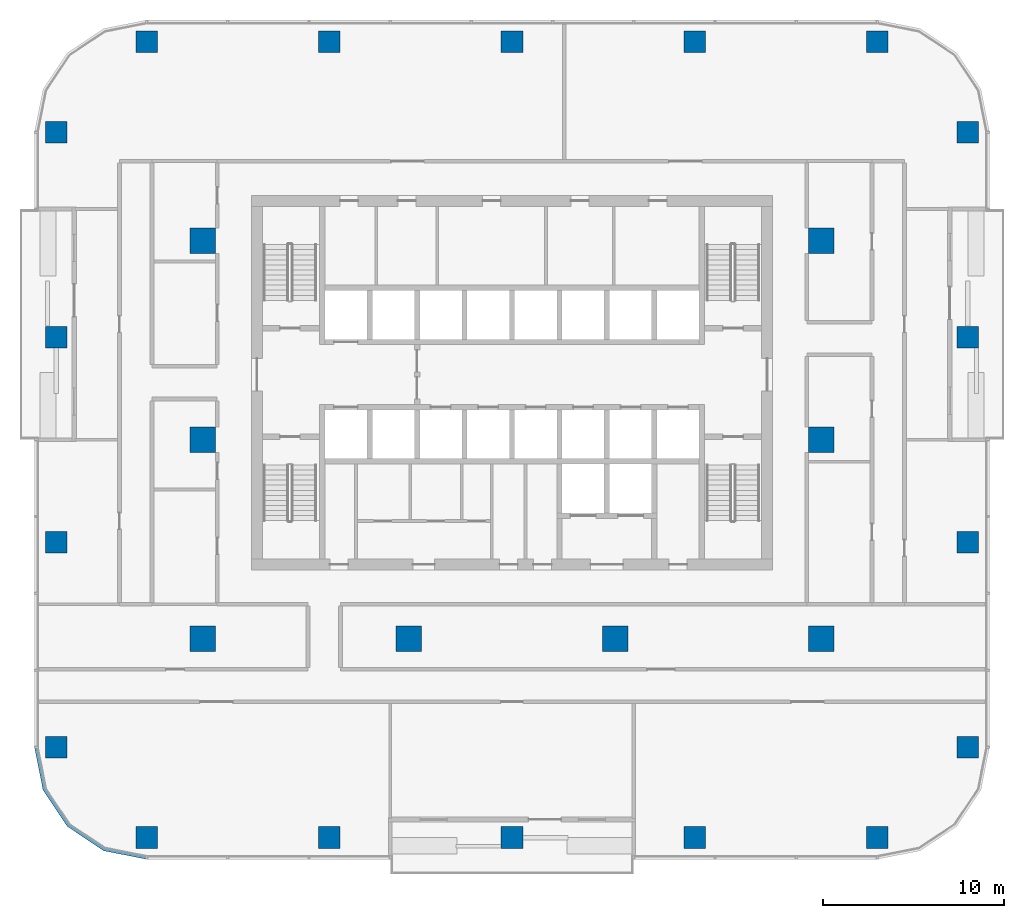
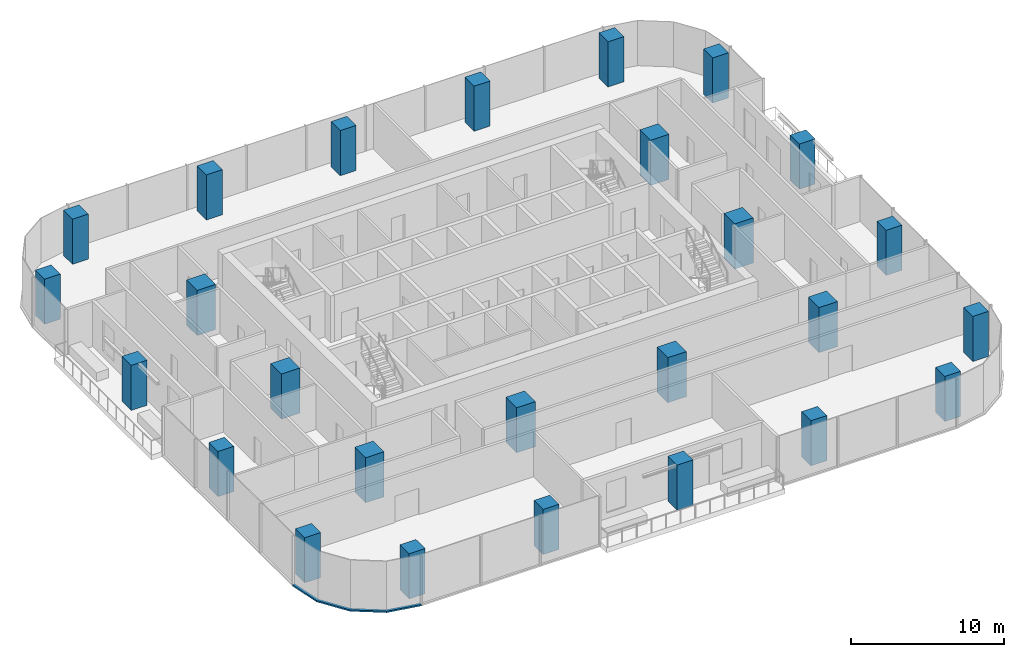
# One storey, part 1 of 14: 26 columns, 1 member, 1 element without a shape of its own.
"""IFC4 building model written with IfcOpenShell, lengths in metres."""

import ifcopenshell
import ifcopenshell.guid

model = None  # the IFC model being written
_history = None  # IfcOwnerHistory: only IFC2X3 demands one
_inside = {}  # id of a spatial element -> (the spatial element, [elements in it])
_under = {}  # id of a project, library or spatial element -> (it, [spatial elements below it])
_declared = {}  # id of a project -> (the project, [libraries it declares])
_typed = {}  # id of a type object -> (the type object, [elements of that type])
_made_of = {}  # id of a material, layer set ... -> (it, [elements and type objects made of it])


def new_model(schema):
    """Start an empty IFC model of exactly this schema.

    Asked for "IFC4X3", IfcOpenShell would pick the latest addendum, in which some entities
    have other attributes; the version numbers below select the first issue.
    IFC2X3 requires an IfcOwnerHistory on every rooted entity: one is made here for all.
    """
    global model, _history
    if schema == "IFC4X3":
        model = ifcopenshell.file(schema_version=(4, 3, 0, 0))
    else:
        model = ifcopenshell.file(schema=schema)
    _inside.clear()
    _under.clear()
    _declared.clear()
    _typed.clear()
    _made_of.clear()
    _history = None
    if model.schema == "IFC2X3":
        org = make("IfcOrganization", Name="unknown")
        user = make(
            "IfcPersonAndOrganization",
            ThePerson=make("IfcPerson", FamilyName="unknown"),
            TheOrganization=org,
        )
        app = make(
            "IfcApplication",
            ApplicationDeveloper=org,
            Version="unknown",
            ApplicationFullName="unknown",
            ApplicationIdentifier="unknown",
        )
        _history = make(
            "IfcOwnerHistory",
            OwningUser=user,
            OwningApplication=app,
            ChangeAction="ADDED",
            CreationDate=0,
        )
    return model


def make(cls, **values):
    """One entity of the class cls with the attributes given. An attribute that is None is left unset."""
    return model.create_entity(
        cls, **{name: value for name, value in values.items() if value is not None}
    )


def rooted(cls, **values):
    """An entity with a GlobalId (a new one), such as an element, a storey or a relation."""
    return make(cls, GlobalId=ifcopenshell.guid.new(), OwnerHistory=_history, **values)


def si_unit(unit_type, name, prefix=None):
    """IfcSIUnit, for example si_unit("LENGTHUNIT", "METRE", prefix="MILLI")."""
    return make("IfcSIUnit", UnitType=unit_type, Prefix=prefix, Name=name)


def assignment(units):
    """IfcUnitAssignment: the units of a project."""
    return None if units is None else make("IfcUnitAssignment", Units=units)


def point(xyz):
    """IfcCartesianPoint."""
    return None if xyz is None else make("IfcCartesianPoint", Coordinates=xyz)


def direction(xyz):
    """IfcDirection."""
    return None if xyz is None else make("IfcDirection", DirectionRatios=xyz)


def frame(location, z_axis=None, x_axis=None):
    """IfcAxis2Placement3D, a coordinate frame: its origin and axes. An axis left out is left unset."""
    return make(
        "IfcAxis2Placement3D",
        Location=point(location),
        Axis=direction(z_axis),
        RefDirection=direction(x_axis),
    )


def frame_2d(location, x_axis=None):
    """IfcAxis2Placement2D, a coordinate frame in the plane: its origin and x axis."""
    return make(
        "IfcAxis2Placement2D", Location=point(location), RefDirection=direction(x_axis)
    )


def origin():
    """The frame at (0, 0, 0) with its axes left unset."""
    return frame((0.0, 0.0, 0.0))


def origin_2d():
    """The frame at (0, 0) in the plane with its x axis left unset."""
    return frame_2d((0.0, 0.0))


def place(relative_to, where):
    """IfcLocalPlacement: puts the frame where relative to a parent placement (None: the world)."""
    return make(
        "IfcLocalPlacement", PlacementRelTo=relative_to, RelativePlacement=where
    )


def context(
    kind, dimensions, precision=None, world=None, true_north=None, identifier=None
):
    """IfcGeometricRepresentationContext, for example the 3D "Model" context."""
    return make(
        "IfcGeometricRepresentationContext",
        ContextIdentifier=identifier,
        ContextType=kind,
        CoordinateSpaceDimension=dimensions,
        Precision=precision,
        WorldCoordinateSystem=world,
        TrueNorth=true_north,
    )


def subcontext(parent, identifier, kind, view, scale=None):
    """IfcGeometricRepresentationSubContext, for example "Body" below "Model"."""
    return make(
        "IfcGeometricRepresentationSubContext",
        ContextIdentifier=identifier,
        ContextType=kind,
        ParentContext=parent,
        TargetScale=scale,
        TargetView=view,
    )


def project(units=None, contexts=None):
    """IfcProject with its units and contexts."""
    return rooted(
        "IfcProject",
        Name="project",
        RepresentationContexts=contexts,
        UnitsInContext=assignment(units),
    )


def spatial(cls, under=None, at=None, **own):
    """A site, building, storey or space (cls), placed at a placement, below another one or the project."""
    s = rooted(cls, ObjectPlacement=at, **own)
    if under is not None:
        _under.setdefault(under.id(), (under, []))[1].append(s)
    return s


def polyline(points):
    """IfcPolyline through the points."""
    return make("IfcPolyline", Points=[point(p) for p in points])


def profile(cls, at=None, kind="AREA", **sizes):
    """A parametric profile (cls). Its sizes go by their IFC names, for example OverallWidth=200.0."""
    return make(cls, ProfileType=kind, Position=at, **sizes)


def rectangle(**sizes):
    """IfcRectangleProfileDef."""
    return profile("IfcRectangleProfileDef", **sizes)


def outline(outer, holes=None, kind="AREA"):
    """IfcArbitraryClosedProfileDef: a profile drawn as a closed curve; with holes, ...WithVoids."""
    if holes is None:
        return make("IfcArbitraryClosedProfileDef", ProfileType=kind, OuterCurve=outer)
    return make(
        "IfcArbitraryProfileDefWithVoids",
        ProfileType=kind,
        OuterCurve=outer,
        InnerCurves=holes,
    )


def extrude(swept, where, along, depth):
    """IfcExtrudedAreaSolid: the profile swept, set in the frame where, extruded along a direction by depth."""
    return make(
        "IfcExtrudedAreaSolid",
        SweptArea=swept,
        Position=where,
        ExtrudedDirection=direction(along),
        Depth=depth,
    )


def shape(context_of_items, identifier, shape_type, items):
    """IfcShapeRepresentation: the items that make up one representation, for example the "Body"."""
    return make(
        "IfcShapeRepresentation",
        ContextOfItems=context_of_items,
        RepresentationIdentifier=identifier,
        RepresentationType=shape_type,
        Items=items,
    )


def material(Name=None, Category=None):
    """IfcMaterial."""
    return make("IfcMaterial", Name=Name, Category=Category)


def material_profile(
    of_material, cross_section, Name=None, Category=None, Priority=None
):
    """IfcMaterialProfile: a cross section and its material."""
    return make(
        "IfcMaterialProfile",
        Name=Name,
        Material=of_material,
        Profile=cross_section,
        Priority=Priority,
        Category=Category,
    )


def profile_set(profiles, Name=None, composite=None):
    """IfcMaterialProfileSet."""
    return make(
        "IfcMaterialProfileSet",
        Name=Name,
        MaterialProfiles=profiles,
        CompositeProfile=composite,
    )


def made_of(thing, what):
    """Note that an element or type object is made of a material, layer set ...; save() writes the relation."""
    if what is not None:
        _made_of.setdefault(what.id(), (what, []))[1].append(thing)
    return thing


def type_object(cls, material=None, **own):
    """A type object (cls), such as IfcWallType, which elements share."""
    return made_of(rooted(cls, **own), material)


def element(
    cls,
    number,
    at=None,
    inside=None,
    cuts=None,
    type_object=None,
    material=None,
    context=None,
    identifier="Body",
    shape_type=None,
    held_by="IfcProductDefinitionShape",
    body=None,
    shapes=None,
    **own,
):
    """One element of the class cls, such as IfcWall. Its Tag is "e" and its number.

    at: its placement. inside: the storey or other place that contains it. cuts: it is an
    opening in that element (IfcRelVoidsElement). A single representation is given by context,
    identifier, shape_type and body (its items); several are given by shapes. held_by: the class
    of the entity that holds the representations. save() writes the other relations.
    """
    e = rooted(cls, Tag="e%d" % number, ObjectPlacement=at, **own)
    if body is not None:
        shapes = [shape(context, identifier, shape_type, body)]
    if shapes is not None:
        e.Representation = make(held_by, Representations=shapes)
    if inside is not None:
        _inside.setdefault(inside.id(), (inside, []))[1].append(e)
    if cuts is not None:
        rooted(
            "IfcRelVoidsElement", RelatingBuildingElement=cuts, RelatedOpeningElement=e
        )
    if type_object is not None:
        _typed.setdefault(type_object.id(), (type_object, []))[1].append(e)
    return made_of(e, material)


def aggregate(whole, parts):
    """IfcRelAggregates: a whole, such as a stair, and the parts it consists of."""
    return rooted("IfcRelAggregates", RelatingObject=whole, RelatedObjects=parts)


def save(model, path):
    """Write the relations noted so far, then the file.

    IfcRelAggregates (storeys below a building ...), IfcRelContainedInSpatialStructure (elements
    in a storey), IfcRelDefinesByType, IfcRelAssociatesMaterial and IfcRelDeclares: one each for
    every whole, place, type object, material and project.
    """
    for whole, parts in _under.values():
        aggregate(whole, parts)
    for where, things in _inside.values():
        rooted(
            "IfcRelContainedInSpatialStructure",
            RelatedElements=things,
            RelatingStructure=where,
        )
    for kind, things in _typed.values():
        rooted("IfcRelDefinesByType", RelatedObjects=things, RelatingType=kind)
    for what, things in _made_of.values():
        rooted("IfcRelAssociatesMaterial", RelatedObjects=things, RelatingMaterial=what)
    for by, libraries in _declared.values():
        rooted("IfcRelDeclares", RelatingContext=by, RelatedDefinitions=libraries)
    model.write(path)


model = new_model("IFC4")

# Units and contexts
model_context = context("Model", 3, precision=1e-05, world=origin(), true_north=direction((0.0, 1.0)))
body_context = subcontext(model_context, "Body", "Model", "MODEL_VIEW")
ifc_project = project(units=[si_unit("LENGTHUNIT", "METRE"), si_unit("AREAUNIT", "SQUARE_METRE"), si_unit("VOLUMEUNIT", "CUBIC_METRE"), si_unit("PLANEANGLEUNIT", "RADIAN"), si_unit("MASSUNIT", "GRAM", prefix="KILO")], contexts=[model_context])

# Site, building, storey
site_placement = place(None, origin())
site = spatial("IfcSite", under=ifc_project, at=site_placement, CompositionType="ELEMENT")
building_placement = place(site_placement, origin())
building = spatial("IfcBuilding", under=site, at=building_placement, Name="Mopane Tessera Tower", CompositionType="ELEMENT")
storey_placement = place(building_placement, frame((0.0, 0.0, 165.0)))
storey = spatial("IfcBuildingStorey", under=building, at=storey_placement, Name="L33", CompositionType="ELEMENT", Elevation=165.0)

# Columns
ifc_material_1 = material(Name="Concrete C50/60", Category="concrete")
ifc_material_profile_1 = material_profile(ifc_material_1, rectangle(XDim=1.39990234375, YDim=1.39990234375, at=origin_2d()))
ifc_profile_set_1 = profile_set([ifc_material_profile_1], Name="Concrete C50/60")
column_type_1 = type_object("IfcColumnType", Name="Interior column 1400 x 1400 C50/60", PredefinedType="COLUMN", material=ifc_profile_set_1)
for number, where, z_axis, x_axis, name in (
    (1, (-17.10009765625, -11.0, 0.0), (0.0, 0.0, 1.0), (1.0, 0.0, 0.0), "Interior column I1A L33"),
    (2, (-17.10009765625, 0.0, 0.0), (0.0, 0.0, 1.0), (1.0, 0.0, 0.0), "Interior column I1B L33"),
    (3, (-17.10009765625, 11.0, 0.0), (0.0, 0.0, 1.0), (1.0, 0.0, 0.0), "Interior column I1C L33"),
    (4, (-5.699951171875, -11.0, 0.0), (0.0, 0.0, 1.0), (1.0, 0.0, 0.0), "Interior column I2A L33"),
    (5, (5.699951171875, -11.0, 0.0), (0.0, 0.0, 1.0), (1.0, 0.0, 0.0), "Interior column I3A L33"),
    (6, (17.10009765625, -11.0, 0.0), (0.0, 0.0, 1.0), (1.0, 0.0, 0.0), "Interior column I4A L33"),
    (7, (17.10009765625, 0.0, 0.0), (0.0, 0.0, 1.0), (1.0, 0.0, 0.0), "Interior column I4B L33"),
    (8, (17.10009765625, 11.0, 0.0), (0.0, 0.0, 1.0), (1.0, 0.0, 0.0), "Interior column I4C L33"),
):
    element("IfcColumn", number, at=place(storey_placement, frame(where, z_axis=z_axis, x_axis=x_axis)), inside=storey, type_object=column_type_1, Name=name, PredefinedType="COLUMN", context=body_context, shape_type="SweptSolid", body=[
        extrude(rectangle(XDim=1.39990234375, YDim=1.39990234375, at=origin_2d()), origin(), (0.0, 0.0, 1.0), 3.60009765625),
    ])
ifc_material_2 = material(Name="Concrete C50/60", Category="concrete")
ifc_material_profile_2 = material_profile(ifc_material_2, rectangle(XDim=1.199951171875, YDim=1.199951171875, at=origin_2d()))
ifc_profile_set_2 = profile_set([ifc_material_profile_2], Name="Concrete C50/60")
column_type_2 = type_object("IfcColumnType", Name="Ring column 1200 x 1200 C50/60", PredefinedType="COLUMN", material=ifc_profile_set_2)
for number, where, z_axis, x_axis, name in (
    (9, (-20.199951171875, -22.0, 0.0), (0.0, 0.0, 1.0), (1.0, 0.0, 0.0), "Ring column S0 L33"),
    (10, (-10.10009765625, -22.0, 0.0), (0.0, 0.0, 1.0), (1.0, 0.0, 0.0), "Ring column S1 L33"),
    (11, (0.0, -22.0, 0.0), (0.0, 0.0, 1.0), (1.0, 0.0, 0.0), "Ring column S2 L33"),
    (12, (10.10009765625, -22.0, 0.0), (0.0, 0.0, 1.0), (1.0, 0.0, 0.0), "Ring column S3 L33"),
    (13, (20.199951171875, -22.0, 0.0), (0.0, 0.0, 1.0), (1.0, 0.0, 0.0), "Ring column S4 L33"),
    (14, (25.199951171875, -17.0, 0.0), (0.0, 0.0, 1.0), (1.0, 0.0, 0.0), "Ring column E0 L33"),
    (15, (25.199951171875, -5.666748046875, 0.0), (0.0, 0.0, 1.0), (1.0, 0.0, 0.0), "Ring column E1 L33"),
    (16, (25.199951171875, 5.666748046875, 0.0), (0.0, 0.0, 1.0), (1.0, 0.0, 0.0), "Ring column E2 L33"),
    (17, (25.199951171875, 17.0, 0.0), (0.0, 0.0, 1.0), (1.0, 0.0, 0.0), "Ring column E3 L33"),
    (18, (20.199951171875, 22.0, 0.0), (0.0, 0.0, 1.0), (1.0, 0.0, 0.0), "Ring column N0 L33"),
    (19, (10.10009765625, 22.0, 0.0), (0.0, 0.0, 1.0), (1.0, 0.0, 0.0), "Ring column N1 L33"),
    (20, (0.0, 22.0, 0.0), (0.0, 0.0, 1.0), (1.0, 0.0, 0.0), "Ring column N2 L33"),
    (21, (-10.10009765625, 22.0, 0.0), (0.0, 0.0, 1.0), (1.0, 0.0, 0.0), "Ring column N3 L33"),
    (22, (-20.199951171875, 22.0, 0.0), (0.0, 0.0, 1.0), (1.0, 0.0, 0.0), "Ring column N4 L33"),
    (23, (-25.199951171875, 17.0, 0.0), (0.0, 0.0, 1.0), (1.0, 0.0, 0.0), "Ring column W0 L33"),
    (24, (-25.199951171875, 5.666748046875, 0.0), (0.0, 0.0, 1.0), (1.0, 0.0, 0.0), "Ring column W1 L33"),
    (25, (-25.199951171875, -5.666748046875, 0.0), (0.0, 0.0, 1.0), (1.0, 0.0, 0.0), "Ring column W2 L33"),
    (26, (-25.199951171875, -17.0, 0.0), (0.0, 0.0, 1.0), (1.0, 0.0, 0.0), "Ring column W3 L33"),
):
    element("IfcColumn", number, at=place(storey_placement, frame(where, z_axis=z_axis, x_axis=x_axis)), inside=storey, type_object=column_type_2, Name=name, PredefinedType="COLUMN", context=body_context, shape_type="SweptSolid", body=[
        extrude(rectangle(XDim=1.199951171875, YDim=1.199951171875, at=origin_2d()), origin(), (0.0, 0.0, 1.0), 3.60009765625),
    ])

# Curtain wall, member
ifc_material_3 = material(Name="Aluminium frame", Category="aluminium")
curtain_wall_type = type_object("IfcCurtainWallType", Name="Unitised curtain wall", PredefinedType="NOTDEFINED", material=ifc_material_3)
curtain_wall_placement = place(storey_placement, origin())
curtain_wall = element("IfcCurtainWall", 27, at=curtain_wall_placement, inside=storey, type_object=curtain_wall_type, Name="e:cw:L33:CW", PredefinedType="NOTDEFINED")
ifc_material_4 = material(Name="Aluminium frame", Category="aluminium")
ifc_material_profile_3 = material_profile(ifc_material_4, rectangle(XDim=0.199951171875, YDim=0.1201171875, at=origin_2d()))
ifc_profile_set_3 = profile_set([ifc_material_profile_3], Name="Aluminium frame")
member_type = type_object("IfcMemberType", Name="Aluminium transom 200 x 120", PredefinedType="USERDEFINED", material=ifc_profile_set_3)
member_placement = place(storey_placement, frame((0.0, 0.0, -0.39990234375)))
member = element("IfcMember", 28, at=member_placement, type_object=member_type, Name="e:cw:L33:CW:tr", ObjectType="TRANSOM", PredefinedType="USERDEFINED", context=body_context, shape_type="SweptSolid", body=[
    extrude(outline(polyline([(-26.199951171875, -17.0), (-25.7431640625, -19.296142578125), (-24.442626953125, -21.24267578125), (-22.49609375, -22.543212890625), (-20.199951171875, -23.0), (-20.199951171875, -23.199951171875), (-22.57275390625, -22.72802734375), (-24.583984375, -21.384033203125), (-25.927978515625, -19.37255859375), (-26.39990234375, -17.0), (-26.199951171875, -17.0)])), origin(), (0.0, 0.0, 1.0), 0.119873046875),
])
aggregate(curtain_wall, [member])

save(model, "model.ifc")
